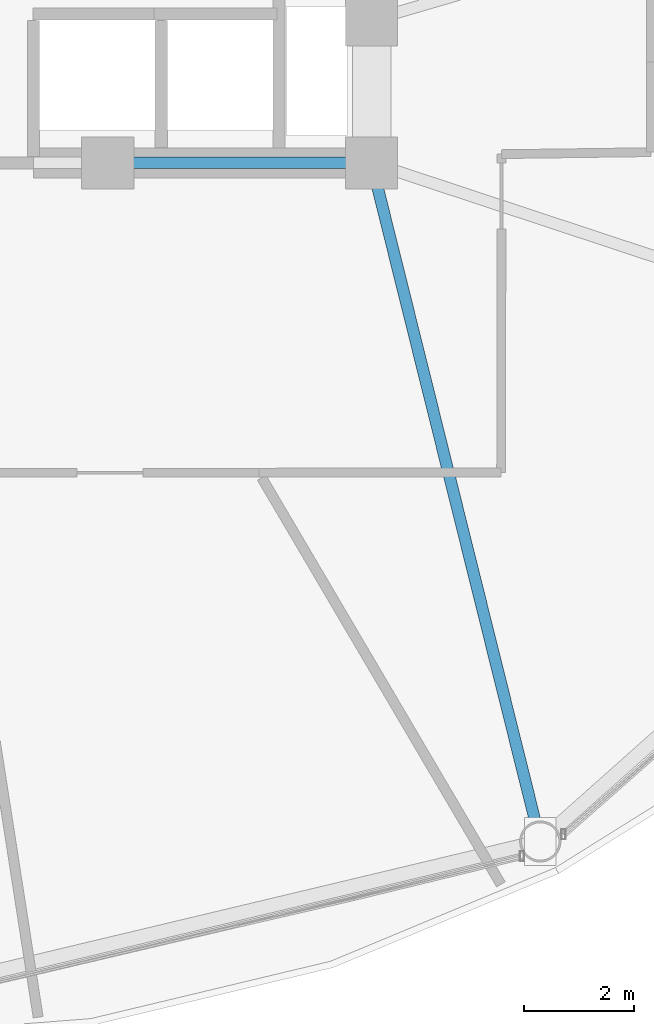
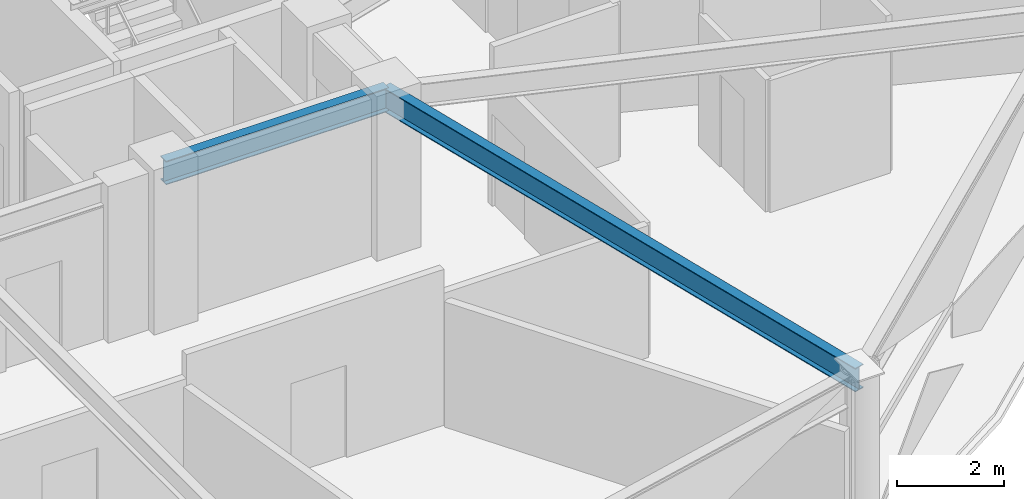
# One storey, part 10 of 31: 2 beams.
"""IFC4 building model written with IfcOpenShell, lengths in metres."""

from ifc_helpers import new_model, si_unit, direction, frame, origin, origin_2d, place, context, subcontext, project, spatial, i_section, extrude, material, material_profile, profile_set, type_object, element, save


model = new_model("IFC4")

# Units and contexts
model_context = context("Model", 3, precision=1e-05, world=origin(), true_north=direction((0.0, 1.0)))
body_context = subcontext(model_context, "Body", "Model", "MODEL_VIEW")
ifc_project = project(units=[si_unit("LENGTHUNIT", "METRE"), si_unit("AREAUNIT", "SQUARE_METRE"), si_unit("VOLUMEUNIT", "CUBIC_METRE"), si_unit("PLANEANGLEUNIT", "RADIAN"), si_unit("MASSUNIT", "GRAM", prefix="KILO")], contexts=[model_context])

# Site, building, storey
site_placement = place(None, origin())
site = spatial("IfcSite", under=ifc_project, at=site_placement, CompositionType="ELEMENT")
building_placement = place(site_placement, origin())
building = spatial("IfcBuilding", under=site, at=building_placement, Name="Vantalir Tower", CompositionType="ELEMENT")
storey_placement = place(building_placement, frame((0.0, 0.0, 115.949951171875)))
storey = spatial("IfcBuildingStorey", under=building, at=storey_placement, Name="L28", CompositionType="ELEMENT", Elevation=115.949951171875)

# Beams
ifc_material = material(Name="Steel S355", Category="steel")
ifc_material_profile = material_profile(ifc_material, i_section(OverallWidth=0.2109375, OverallDepth=0.5390625, WebThickness=0.01171875, FlangeThickness=0.018798828125, at=origin_2d()), Name="Steel S355")
ifc_profile_set = profile_set([ifc_material_profile], Name="Steel S355")
beam_type = type_object("IfcBeamType", Name="BM-RB-533x210", PredefinedType="BEAM", material=ifc_profile_set)
beam_1_placement = place(storey_placement, frame((36.300048828125, 17.800048828125, 3.300048828125), z_axis=(1.0, 0.0, 0.0), x_axis=(0.0, 1.0, 0.0)))
element("IfcBeam", 1, at=beam_1_placement, inside=storey, type_object=beam_type, Name="L28 Core Coupling Girder 04", PredefinedType="BEAM", context=body_context, shape_type="SweptSolid", body=[
    extrude(i_section(OverallWidth=0.2109375, OverallDepth=0.5390625, WebThickness=0.01171875, FlangeThickness=0.018798828125, at=origin_2d()), origin(), (0.0, 0.0, 1.0), 4.800048828125),
])
beam_2_placement = place(storey_placement, frame((44.169921875, 5.45703125, 3.300048828125), z_axis=(-0.241356653408, 0.970436482134, 0.0), x_axis=(-0.970436482134, -0.241356653408, 0.0)))
element("IfcBeam", 2, at=beam_2_placement, inside=storey, type_object=beam_type, Name="L28 Radial Floor Beam 11", PredefinedType="BEAM", context=body_context, shape_type="SweptSolid", body=[
    extrude(i_section(OverallWidth=0.2109375, OverallDepth=0.5390625, WebThickness=0.01171875, FlangeThickness=0.018798828125, at=origin_2d()), origin(), (0.0, 0.0, 1.0), 12.718994140625),
])

save(model, "model.ifc")
